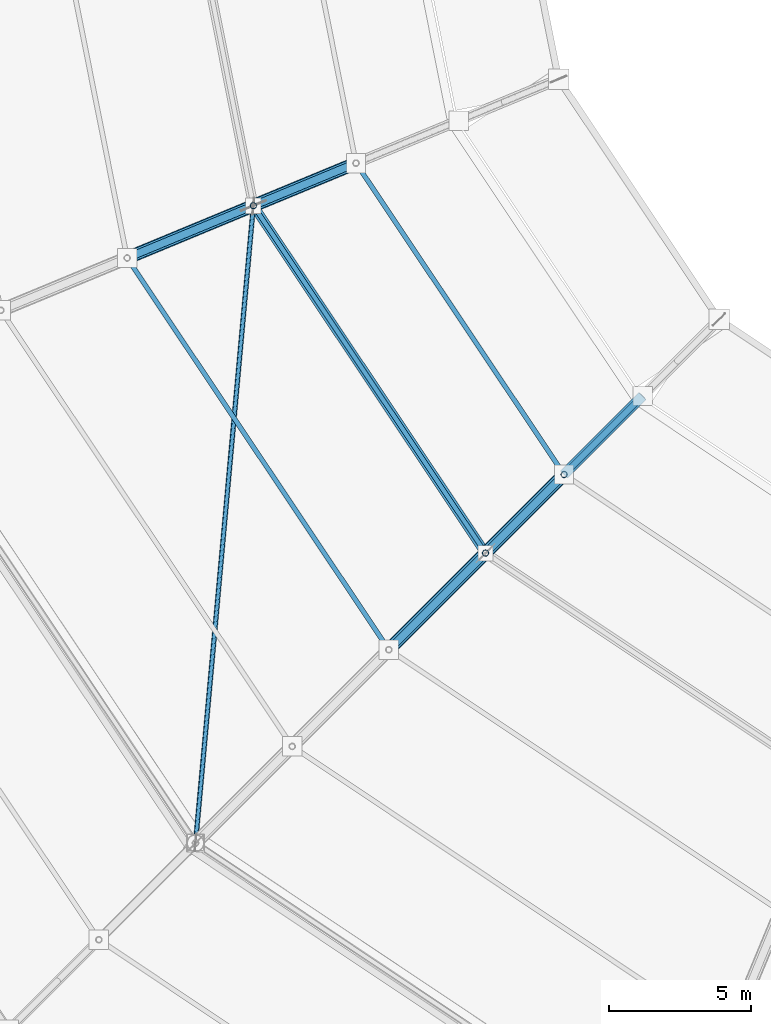
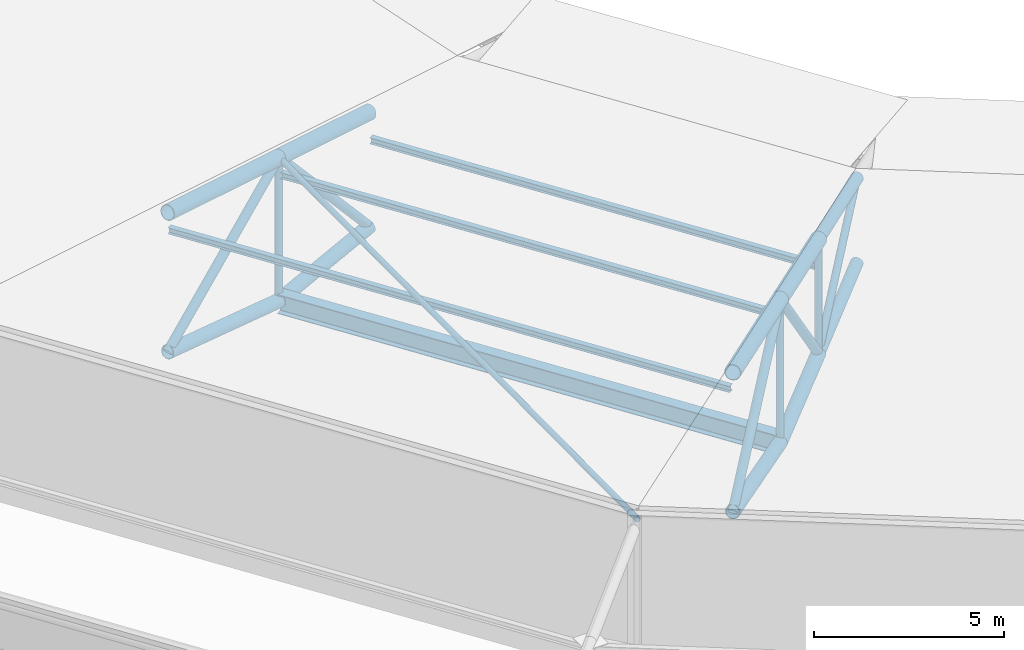
# One storey, part 25 of 146: 22 members, 1 beam.
"""IFC4 building model written with IfcOpenShell, lengths in metres."""

from ifc_helpers import new_model, si_unit, direction, frame, origin, origin_2d, place, context, subcontext, project, spatial, hollow_circle, i_section, extrude, material, material_profile, profile_set, type_object, element, save


model = new_model("IFC4")

# Units and contexts
model_context = context("Model", 3, precision=1e-05, world=origin(), true_north=direction((0.0, 1.0)))
body_context = subcontext(model_context, "Body", "Model", "MODEL_VIEW")
ifc_project = project(units=[si_unit("LENGTHUNIT", "METRE"), si_unit("AREAUNIT", "SQUARE_METRE"), si_unit("VOLUMEUNIT", "CUBIC_METRE"), si_unit("PLANEANGLEUNIT", "RADIAN"), si_unit("MASSUNIT", "GRAM", prefix="KILO")], contexts=[model_context])

# Site, building, storey
site_placement = place(None, origin())
site = spatial("IfcSite", under=ifc_project, at=site_placement, CompositionType="ELEMENT")
building_placement = place(site_placement, origin())
building = spatial("IfcBuilding", under=site, at=building_placement, Name="Candeia Ridge Stadium", CompositionType="ELEMENT")
storey_placement = place(building_placement, frame((0.0, 0.0, 31.800048828125)))
storey = spatial("IfcBuildingStorey", under=building, at=storey_placement, Name="RF", CompositionType="ELEMENT", Elevation=31.800048828125)

# Beam
ifc_material = material(Name="Steel ASTM A572 Grade 50", Category="steel")
ifc_material_profile_1 = material_profile(ifc_material, i_section(OverallWidth=0.324951171875, OverallDepth=0.615966796875, WebThickness=0.013916015625, FlangeThickness=0.021484375, FilletRadius=0.014892578125, at=origin_2d()), Name="W610x174", Category="steel")
ifc_profile_set_1 = profile_set([ifc_material_profile_1], Name="Steel ASTM A572 Grade 50")
beam_type = type_object("IfcBeamType", Name="Roof Compression Ring Beam W610x174", PredefinedType="BEAM", material=ifc_profile_set_1)
beam_placement = place(storey_placement, frame((36.284423828125, 56.577880859375, -2.6640625), z_axis=(0.555568695933, -0.831470639349, 0.0), x_axis=(0.831470639349, 0.555568695933, 0.0)))
element("IfcBeam", 1, at=beam_placement, inside=storey, type_object=beam_type, Name="Roof compression ring beam bay 16", PredefinedType="BEAM", context=body_context, shape_type="SweptSolid", body=[
    extrude(i_section(OverallWidth=0.324951171875, OverallDepth=0.615966796875, WebThickness=0.013916015625, FlangeThickness=0.021484375, FilletRadius=0.014892578125, at=origin_2d()), origin(), (0.0, 0.0, 1.0), 14.5908203125),
])

# Members
ifc_material_profile_2 = material_profile(ifc_material, hollow_circle(Radius=0.084228515625, WallThickness=0.008056640625, at=origin_2d()), Name="CHS168x8", Category="steel")
ifc_profile_set_2 = profile_set([ifc_material_profile_2], Name="Steel ASTM A572 Grade 50")
member_type_1 = type_object("IfcMemberType", Name="Roof Plan Wind Brace CHS168x8", PredefinedType="BRACE", material=ifc_profile_set_2)
member_1_placement = place(storey_placement, frame((36.26025390625, 56.59130859375, 1.938232421875), z_axis=(-0.089777547713, -0.98897960921, 0.117725632267), x_axis=(0.995904973242, -0.090406218107, 0.0)))
element("IfcMember", 2, at=member_1_placement, inside=storey, type_object=member_type_1, Name="Roof plane wind brace bay 16", PredefinedType="BRACE", context=body_context, shape_type="SweptSolid", body=[
    extrude(hollow_circle(Radius=0.084228515625, WallThickness=0.008056640625, at=origin_2d()), origin(), (0.0, 0.0, 1.0), 22.590087890625),
])
ifc_material_profile_3 = material_profile(ifc_material, i_section(OverallWidth=0.1650390625, OverallDepth=0.200927734375, WebThickness=0.006103515625, FlangeThickness=0.01025390625, FilletRadius=0.010009765625, at=origin_2d()), Name="W200x35.9", Category="steel")
ifc_profile_set_3 = profile_set([ifc_material_profile_3], Name="Steel ASTM A572 Grade 50")
member_type_2 = type_object("IfcMemberType", Name="Roof Purlin W200x35.9", PredefinedType="PURLIN", material=ifc_profile_set_3)
member_2_placement = place(storey_placement, frame((39.89306640625, 58.06201171875, 0.3544921875), z_axis=(0.555576353042, -0.831465523002, 0.0), x_axis=(0.831465523002, 0.555576353042, 0.0)))
element("IfcMember", 3, at=member_2_placement, inside=storey, type_object=member_type_2, Name="Saddle roof steel purlin bay 16-1", PredefinedType="PURLIN", context=body_context, shape_type="SweptSolid", body=[
    extrude(i_section(OverallWidth=0.1650390625, OverallDepth=0.200927734375, WebThickness=0.006103515625, FlangeThickness=0.01025390625, FilletRadius=0.010009765625, at=origin_2d()), origin(), (0.0, 0.0, 1.0), 13.049072265625),
])
member_3_placement = place(storey_placement, frame((36.289794921875, 56.569580078125, 1.416015625), z_axis=(0.555573746016, -0.831467264983, 0.0), x_axis=(0.831467264983, 0.555573746016, 0.0)))
element("IfcMember", 4, at=member_3_placement, inside=storey, type_object=member_type_2, Name="Saddle roof steel purlin bay 16-2", PredefinedType="PURLIN", context=body_context, shape_type="SweptSolid", body=[
    extrude(i_section(OverallWidth=0.1650390625, OverallDepth=0.200927734375, WebThickness=0.006103515625, FlangeThickness=0.01025390625, FilletRadius=0.010009765625, at=origin_2d()), origin(), (0.0, 0.0, 1.0), 14.57080078125),
])
member_4_placement = place(storey_placement, frame((31.855224609375, 54.732666015625, 2.303955078125), z_axis=(0.555577006671, -0.831465086253, 0.0), x_axis=(0.831465086253, 0.555577006671, 0.0)))
element("IfcMember", 5, at=member_4_placement, inside=storey, type_object=member_type_2, Name="Saddle roof steel purlin bay 16-3", PredefinedType="PURLIN", context=body_context, shape_type="SweptSolid", body=[
    extrude(i_section(OverallWidth=0.1650390625, OverallDepth=0.200927734375, WebThickness=0.006103515625, FlangeThickness=0.01025390625, FilletRadius=0.010009765625, at=origin_2d()), origin(), (0.0, 0.0, 1.0), 16.443603515625),
])
ifc_material_profile_4 = material_profile(ifc_material, hollow_circle(Radius=0.136474609375, WallThickness=0.010009765625, at=origin_2d()), Name="CHS273x10", Category="steel")
ifc_profile_set_4 = profile_set([ifc_material_profile_4], Name="Steel ASTM A572 Grade 50")
member_type_3 = type_object("IfcMemberType", Name="Roof Truss Heavy Web Brace CHS273x10", PredefinedType="BRACE", material=ifc_profile_set_4)
member_5_placement = place(storey_placement, frame((39.865234375, 58.103515625, -2.444091796875), z_axis=(-0.61435865685, -0.254477196729, 0.746863305498), x_axis=(0.382685369162, -0.923878730261, 0.0)))
element("IfcMember", 6, at=member_5_placement, inside=storey, type_object=member_type_3, Name="Roof cantilever truss RT-16 diagonal web 3", PredefinedType="BRACE", context=body_context, shape_type="SweptSolid", body=[
    extrude(hollow_circle(Radius=0.136474609375, WallThickness=0.010009765625, at=origin_2d()), origin(), (0.0, 0.0, 1.0), 5.86474609375),
])
member_6_placement = place(storey_placement, frame((36.26220703125, 56.611083984375, 1.93603515625), z_axis=(-0.740679890153, -0.306791934683, -0.597722351211), x_axis=(0.382675211785, -0.923882937544, 0.0)))
element("IfcMember", 7, at=member_6_placement, inside=storey, type_object=member_type_3, Name="Roof cantilever truss RT-16 diagonal web 4", PredefinedType="BRACE", context=body_context, shape_type="SweptSolid", body=[
    extrude(hollow_circle(Radius=0.136474609375, WallThickness=0.010009765625, at=origin_2d()), origin(), (0.0, 0.0, 1.0), 5.987548828125),
])
member_7_placement = place(storey_placement, frame((47.17041015625, 47.17041015625, -2.444091796875), z_axis=(-0.470203340341, -0.470203340341, 0.746871901643), x_axis=(0.707106781187, -0.707106781187, 0.0)))
element("IfcMember", 8, at=member_7_placement, inside=storey, type_object=member_type_3, Name="Roof cantilever truss RT-17 diagonal web 3", PredefinedType="BRACE", context=body_context, shape_type="SweptSolid", body=[
    extrude(hollow_circle(Radius=0.136474609375, WallThickness=0.010009765625, at=origin_2d()), origin(), (0.0, 0.0, 1.0), 5.86474609375),
])
member_8_placement = place(storey_placement, frame((44.412841796875, 44.412841796875, 1.93603515625), z_axis=(-0.566892118006, -0.566892118006, -0.597717870809), x_axis=(0.707106781187, -0.707106781187, 0.0)))
element("IfcMember", 9, at=member_8_placement, inside=storey, type_object=member_type_3, Name="Roof cantilever truss RT-17 diagonal web 4", PredefinedType="BRACE", context=body_context, shape_type="SweptSolid", body=[
    extrude(hollow_circle(Radius=0.136474609375, WallThickness=0.010009765625, at=origin_2d()), origin(), (0.0, 0.0, 1.0), 5.987548828125),
])
ifc_material_profile_5 = material_profile(ifc_material, hollow_circle(Radius=0.109619140625, WallThickness=0.010009765625, at=origin_2d()), Name="CHS219x10", Category="steel")
ifc_profile_set_5 = profile_set([ifc_material_profile_5], Name="Steel ASTM A572 Grade 50")
member_type_4 = type_object("IfcMemberType", Name="Roof Truss Inner Web Brace CHS219x10", PredefinedType="BRACE", material=ifc_profile_set_5)
member_9_placement = place(storey_placement, frame((36.26220703125, 56.611083984375, -2.6640625), z_axis=(0.0, 0.0, 1.0), x_axis=(1.0, 0.0, 0.0)))
element("IfcMember", 10, at=member_9_placement, inside=storey, type_object=member_type_4, Name="Roof cantilever truss RT-16 vertical post 3", PredefinedType="BRACE", context=body_context, shape_type="SweptSolid", body=[
    extrude(hollow_circle(Radius=0.109619140625, WallThickness=0.010009765625, at=origin_2d()), origin(), (0.0, 0.0, 1.0), 4.60009765625),
])
member_10_placement = place(storey_placement, frame((49.92822265625, 49.92822265625, 0.54296875), z_axis=(-0.561375904799, -0.561375904799, -0.608041270822), x_axis=(0.707106781187, -0.707106781187, 0.0)))
element("IfcMember", 11, at=member_10_placement, inside=storey, type_object=member_type_4, Name="Roof cantilever truss RT-17 diagonal web 2", PredefinedType="BRACE", context=body_context, shape_type="SweptSolid", body=[
    extrude(hollow_circle(Radius=0.109619140625, WallThickness=0.010009765625, at=origin_2d()), origin(), (0.0, 0.0, 1.0), 4.91259765625),
])
member_11_placement = place(storey_placement, frame((47.17041015625, 47.17041015625, -2.444091796875), z_axis=(0.0, 0.0, 1.0), x_axis=(1.0, 0.0, 0.0)))
element("IfcMember", 12, at=member_11_placement, inside=storey, type_object=member_type_4, Name="Roof cantilever truss RT-17 vertical post 2", PredefinedType="BRACE", context=body_context, shape_type="SweptSolid", body=[
    extrude(hollow_circle(Radius=0.109619140625, WallThickness=0.010009765625, at=origin_2d()), origin(), (0.0, 0.0, 1.0), 3.658447265625),
])
member_12_placement = place(storey_placement, frame((44.412841796875, 44.412841796875, -2.6640625), z_axis=(0.0, 0.0, 1.0), x_axis=(1.0, 0.0, 0.0)))
element("IfcMember", 13, at=member_12_placement, inside=storey, type_object=member_type_4, Name="Roof cantilever truss RT-17 vertical post 3", PredefinedType="BRACE", context=body_context, shape_type="SweptSolid", body=[
    extrude(hollow_circle(Radius=0.109619140625, WallThickness=0.010009765625, at=origin_2d()), origin(), (0.0, 0.0, 1.0), 4.60009765625),
])
ifc_material_profile_6 = material_profile(ifc_material, hollow_circle(Radius=0.228515625, WallThickness=0.02001953125, at=origin_2d()), Name="CHS457x20", Category="steel")
ifc_profile_set_6 = profile_set([ifc_material_profile_6], Name="Steel ASTM A572 Grade 50")
member_type_5 = type_object("IfcMemberType", Name="Roof Truss Main Chord CHS457x20", PredefinedType="CHORD", material=ifc_profile_set_6)
member_13_placement = place(storey_placement, frame((39.865234375, 58.103515625, 1.21435546875), z_axis=(-0.908455116829, -0.376296661416, 0.181961873245), x_axis=(0.382685369162, -0.923878730261, 0.0)))
element("IfcMember", 14, at=member_13_placement, inside=storey, type_object=member_type_5, Name="Roof cantilever truss RT-16 top chord 3", PredefinedType="CHORD", context=body_context, shape_type="SweptSolid", body=[
    extrude(hollow_circle(Radius=0.228515625, WallThickness=0.02001953125, at=origin_2d()), origin(), (0.0, 0.0, 1.0), 3.966064453125),
])
member_14_placement = place(storey_placement, frame((36.26220703125, 56.611083984375, 1.93603515625), z_axis=(-0.908470819314, -0.376291464053, 0.181894212488), x_axis=(0.382675211785, -0.923882937544, 0.0)))
element("IfcMember", 15, at=member_14_placement, inside=storey, type_object=member_type_5, Name="Roof cantilever truss RT-16 top chord 4", PredefinedType="CHORD", context=body_context, shape_type="SweptSolid", body=[
    extrude(hollow_circle(Radius=0.228515625, WallThickness=0.02001953125, at=origin_2d()), origin(), (0.0, 0.0, 1.0), 4.881591796875),
])
member_15_placement = place(storey_placement, frame((47.17041015625, 47.17041015625, 1.21435546875), z_axis=(-0.695301449045, -0.695301449045, 0.181966452712), x_axis=(0.707106781187, -0.707106781187, 0.0)))
element("IfcMember", 16, at=member_15_placement, inside=storey, type_object=member_type_5, Name="Roof cantilever truss RT-17 top chord 3", PredefinedType="CHORD", context=body_context, shape_type="SweptSolid", body=[
    extrude(hollow_circle(Radius=0.228515625, WallThickness=0.02001953125, at=origin_2d()), origin(), (0.0, 0.0, 1.0), 3.966064453125),
])
member_16_placement = place(storey_placement, frame((44.412841796875, 44.412841796875, 1.93603515625), z_axis=(-0.695311168341, -0.695311168341, 0.18189216135), x_axis=(0.707106781187, -0.707106781187, 0.0)))
element("IfcMember", 17, at=member_16_placement, inside=storey, type_object=member_type_5, Name="Roof cantilever truss RT-17 top chord 4", PredefinedType="CHORD", context=body_context, shape_type="SweptSolid", body=[
    extrude(hollow_circle(Radius=0.228515625, WallThickness=0.02001953125, at=origin_2d()), origin(), (0.0, 0.0, 1.0), 4.881591796875),
])
ifc_material_profile_7 = material_profile(ifc_material, hollow_circle(Radius=0.202880859375, WallThickness=0.01611328125, at=origin_2d()), Name="CHS406x16", Category="steel")
ifc_profile_set_7 = profile_set([ifc_material_profile_7], Name="Steel ASTM A572 Grade 50")
member_type_6 = type_object("IfcMemberType", Name="Roof Truss Outer Chord CHS406x16", PredefinedType="CHORD", material=ifc_profile_set_7)
member_17_placement = place(storey_placement, frame((39.865234375, 58.103515625, -2.444091796875), z_axis=(-0.922412592682, -0.382078071491, -0.056314795095), x_axis=(0.382685369162, -0.923878730261, 0.0)))
element("IfcMember", 18, at=member_17_placement, inside=storey, type_object=member_type_6, Name="Roof cantilever truss RT-16 bottom chord 3", PredefinedType="CHORD", context=body_context, shape_type="SweptSolid", body=[
    extrude(hollow_circle(Radius=0.202880859375, WallThickness=0.01611328125, at=origin_2d()), origin(), (0.0, 0.0, 1.0), 3.906005859375),
])
member_18_placement = place(storey_placement, frame((36.26220703125, 56.611083984375, -2.6640625), z_axis=(-0.903658328422, -0.374298115224, 0.208092639019), x_axis=(0.382675211785, -0.923882937544, 0.0)))
element("IfcMember", 19, at=member_18_placement, inside=storey, type_object=member_type_6, Name="Roof cantilever truss RT-16 bottom chord 4", PredefinedType="CHORD", context=body_context, shape_type="SweptSolid", body=[
    extrude(hollow_circle(Radius=0.202880859375, WallThickness=0.01611328125, at=origin_2d()), origin(), (0.0, 0.0, 1.0), 4.90771484375),
])
member_19_placement = place(storey_placement, frame((47.17041015625, 47.17041015625, -2.444091796875), z_axis=(-0.705984588812, -0.705984588812, -0.056316256266), x_axis=(0.707106781187, -0.707106781187, 0.0)))
element("IfcMember", 20, at=member_19_placement, inside=storey, type_object=member_type_6, Name="Roof cantilever truss RT-17 bottom chord 3", PredefinedType="CHORD", context=body_context, shape_type="SweptSolid", body=[
    extrude(hollow_circle(Radius=0.202880859375, WallThickness=0.01611328125, at=origin_2d()), origin(), (0.0, 0.0, 1.0), 3.906005859375),
])
member_20_placement = place(storey_placement, frame((44.412841796875, 44.412841796875, -2.6640625), z_axis=(-0.69162794184, -0.69162794184, 0.208090317249), x_axis=(0.707106781187, -0.707106781187, 0.0)))
element("IfcMember", 21, at=member_20_placement, inside=storey, type_object=member_type_6, Name="Roof cantilever truss RT-17 bottom chord 4", PredefinedType="CHORD", context=body_context, shape_type="SweptSolid", body=[
    extrude(hollow_circle(Radius=0.202880859375, WallThickness=0.01611328125, at=origin_2d()), origin(), (0.0, 0.0, 1.0), 4.90771484375),
])
ifc_material_profile_8 = material_profile(ifc_material, hollow_circle(Radius=0.177734375, WallThickness=0.01416015625, at=origin_2d()), Name="CHS355x14", Category="steel")
ifc_profile_set_8 = profile_set([ifc_material_profile_8], Name="Steel ASTM A572 Grade 50")
member_type_7 = type_object("IfcMemberType", Name="Roof Truss Tip Chord CHS355x14", PredefinedType="CHORD", material=ifc_profile_set_8)
member_21_placement = place(storey_placement, frame((49.92822265625, 49.92822265625, 0.54296875), z_axis=(-0.696856933959, -0.696856933959, 0.169649129638), x_axis=(0.707106781187, -0.707106781187, 0.0)))
element("IfcMember", 22, at=member_21_placement, inside=storey, type_object=member_type_7, Name="Roof cantilever truss RT-17 top chord 2", PredefinedType="CHORD", context=body_context, shape_type="SweptSolid", body=[
    extrude(hollow_circle(Radius=0.177734375, WallThickness=0.01416015625, at=origin_2d()), origin(), (0.0, 0.0, 1.0), 3.95751953125),
])
member_22_placement = place(storey_placement, frame((49.92822265625, 49.92822265625, -2.17431640625), z_axis=(-0.705421217508, -0.705421217508, -0.069005882201), x_axis=(0.707106781187, -0.707106781187, 0.0)))
element("IfcMember", 23, at=member_22_placement, inside=storey, type_object=member_type_7, Name="Roof cantilever truss RT-17 bottom chord 2", PredefinedType="CHORD", context=body_context, shape_type="SweptSolid", body=[
    extrude(hollow_circle(Radius=0.177734375, WallThickness=0.01416015625, at=origin_2d()), origin(), (0.0, 0.0, 1.0), 3.909423828125),
])

save(model, "model.ifc")
